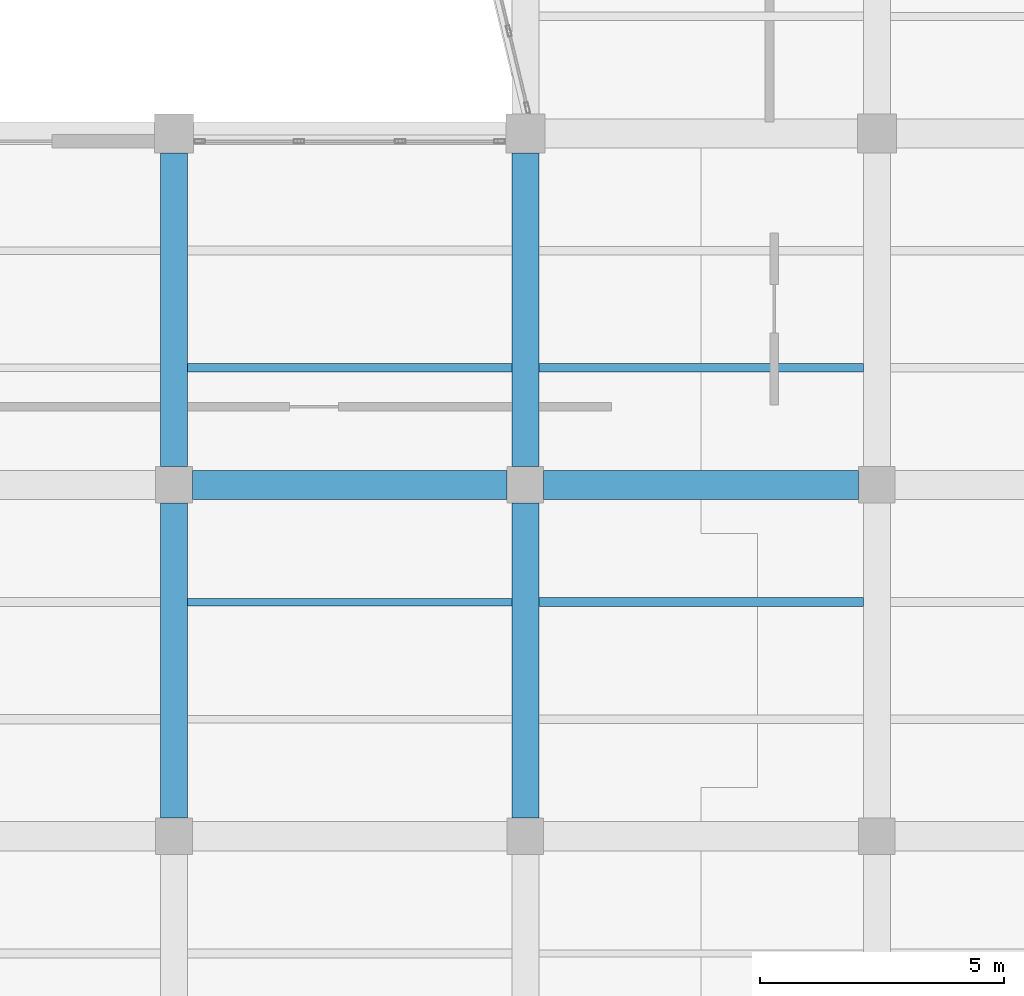
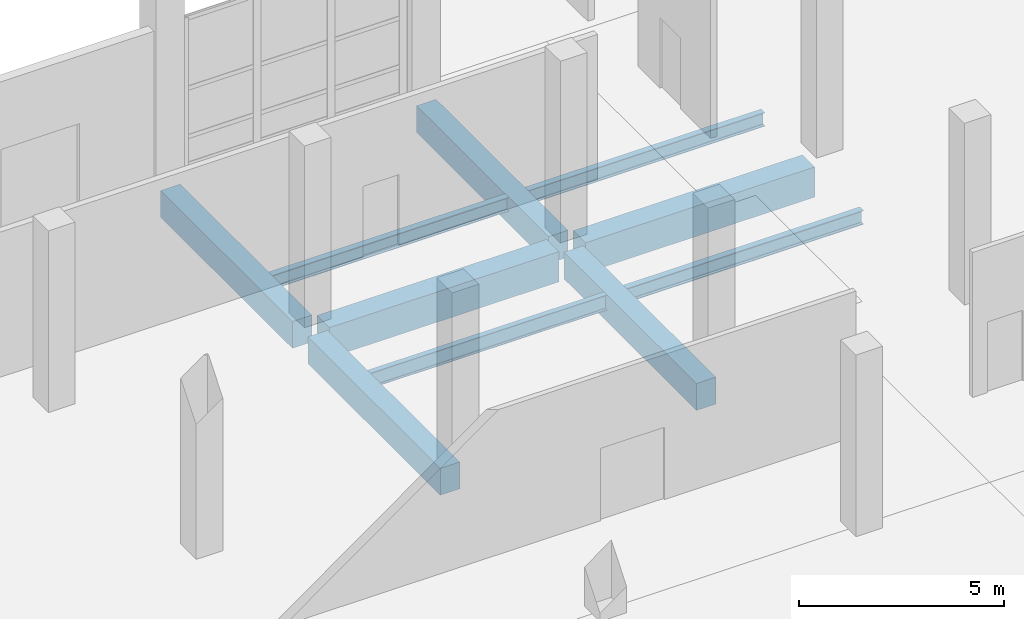
# One storey, part 68 of 137: 10 beams.
"""IFC4 building model written with IfcOpenShell, lengths in metres."""

from ifc_helpers import new_model, si_unit, direction, frame, origin, origin_2d, place, context, subcontext, project, spatial, rectangle, i_section, extrude, material, material_profile, profile_set, type_object, element, save


model = new_model("IFC4")

# Units and contexts
model_context = context("Model", 3, precision=1e-05, world=origin(), true_north=direction((0.0, 1.0)))
body_context = subcontext(model_context, "Body", "Model", "MODEL_VIEW")
ifc_project = project(units=[si_unit("LENGTHUNIT", "METRE"), si_unit("AREAUNIT", "SQUARE_METRE"), si_unit("VOLUMEUNIT", "CUBIC_METRE"), si_unit("PLANEANGLEUNIT", "RADIAN"), si_unit("MASSUNIT", "GRAM", prefix="KILO")], contexts=[model_context])

# Site, building, storey
site_placement = place(None, origin())
site = spatial("IfcSite", under=ifc_project, at=site_placement, CompositionType="ELEMENT")
building_placement = place(site_placement, origin())
building = spatial("IfcBuilding", under=site, at=building_placement, Name="Kalmorath City Hall", CompositionType="ELEMENT")
storey_placement = place(building_placement, origin())
storey = spatial("IfcBuildingStorey", under=building, at=storey_placement, Name="L00", CompositionType="ELEMENT", Elevation=0.0)

# Beams
ifc_material_1 = material(Name="Concrete C40/50", Category="concrete")
ifc_material_profile_1 = material_profile(ifc_material_1, rectangle(XDim=0.550048828125, YDim=0.800048828125, at=origin_2d()), Name="RC-BM-550X800")
ifc_profile_set_1 = profile_set([ifc_material_profile_1], Name="Concrete C40/50")
beam_type_1 = type_object("IfcBeamType", Name="Concrete floor girder 550x800", PredefinedType="BEAM", material=ifc_profile_set_1)
beam_1_placement = place(storey_placement, frame((129.60009765625, 29.175048828125, -0.7041015625), z_axis=(0.0, 1.0, 0.0), x_axis=(-1.0, 0.0, 0.0)))
element("IfcBeam", 1, at=beam_1_placement, inside=storey, type_object=beam_type_1, Name="L00 girder CB2 Y19/5-6", PredefinedType="BEAM", context=body_context, shape_type="SweptSolid", body=[
    extrude(rectangle(XDim=0.550048828125, YDim=0.800048828125, at=origin_2d()), origin(), (0.0, 0.0, 1.0), 6.449951171875),
])
beam_2_placement = place(storey_placement, frame((129.60009765625, 36.375, -0.7041015625), z_axis=(0.0, 1.0, 0.0), x_axis=(-1.0, 0.0, 0.0)))
element("IfcBeam", 2, at=beam_2_placement, inside=storey, type_object=beam_type_1, Name="L00 girder CB2 Y19/6-7", PredefinedType="BEAM", context=body_context, shape_type="SweptSolid", body=[
    extrude(rectangle(XDim=0.550048828125, YDim=0.800048828125, at=origin_2d()), origin(), (0.0, 0.0, 1.0), 6.425048828125),
])
beam_3_placement = place(storey_placement, frame((136.800048828125, 29.175048828125, -0.7041015625), z_axis=(0.0, 1.0, 0.0), x_axis=(-1.0, 0.0, 0.0)))
element("IfcBeam", 3, at=beam_3_placement, inside=storey, type_object=beam_type_1, Name="L00 girder CB2 Y20/5-6", PredefinedType="BEAM", context=body_context, shape_type="SweptSolid", body=[
    extrude(rectangle(XDim=0.550048828125, YDim=0.800048828125, at=origin_2d()), origin(), (0.0, 0.0, 1.0), 6.449951171875),
])
beam_4_placement = place(storey_placement, frame((136.800048828125, 36.375, -0.7041015625), z_axis=(0.0, 1.0, 0.0), x_axis=(-1.0, 0.0, 0.0)))
element("IfcBeam", 4, at=beam_4_placement, inside=storey, type_object=beam_type_1, Name="L00 girder CB2 Y20/6-7", PredefinedType="BEAM", context=body_context, shape_type="SweptSolid", body=[
    extrude(rectangle(XDim=0.550048828125, YDim=0.800048828125, at=origin_2d()), origin(), (0.0, 0.0, 1.0), 6.425048828125),
])
ifc_material_2 = material(Name="Concrete C40/50", Category="concrete")
ifc_material_profile_2 = material_profile(ifc_material_2, rectangle(XDim=0.60009765625, YDim=0.89990234375, at=origin_2d()), Name="RC-BM-600X900")
ifc_profile_set_2 = profile_set([ifc_material_profile_2], Name="Concrete C40/50")
beam_type_2 = type_object("IfcBeamType", Name="Concrete floor girder 600x900", PredefinedType="BEAM", material=ifc_profile_set_2)
for number, where, z_axis, x_axis, name in (
    (5, (129.97509765625, 36.0, -0.75390625), (1.0, 0.0, 0.0), (0.0, 1.0, 0.0), "L00 girder CB1 X19-20/6"),
    (6, (137.175048828125, 36.0, -0.75390625), (1.0, 0.0, 0.0), (0.0, 1.0, 0.0), "L00 girder CB1 X20-21/6"),
):
    element("IfcBeam", number, at=place(storey_placement, frame(where, z_axis=z_axis, x_axis=x_axis)), inside=storey, type_object=beam_type_2, Name=name, PredefinedType="BEAM", context=body_context, shape_type="SweptSolid", body=[
        extrude(rectangle(XDim=0.60009765625, YDim=0.89990234375, at=origin_2d()), origin(), (0.0, 0.0, 1.0), 6.449951171875),
    ])
ifc_material_3 = material(Name="Steel ASTM A992 Grade 50", Category="steel")
ifc_material_profile_3 = material_profile(ifc_material_3, i_section(OverallWidth=0.178955078125, OverallDepth=0.409912109375, WebThickness=0.0087890625, FlangeThickness=0.014404296875, FilletRadius=0.012939453125, at=origin_2d()), Name="W16X45")
ifc_profile_set_3 = profile_set([ifc_material_profile_3], Name="Steel ASTM A992 Grade 50")
beam_type_3 = type_object("IfcBeamType", Name="Steel composite joist W16X45", PredefinedType="JOIST", material=ifc_profile_set_3)
beam_5_placement = place(storey_placement, frame((137.074951171875, 38.39990234375, -0.509033203125), z_axis=(1.0, 0.0, 0.0), x_axis=(0.0, 1.0, 0.0)))
element("IfcBeam", 7, at=beam_5_placement, inside=storey, type_object=beam_type_3, Name="L00 joist SJ6 20.6.1", PredefinedType="JOIST", context=body_context, shape_type="SweptSolid", body=[
    extrude(i_section(OverallWidth=0.178955078125, OverallDepth=0.409912109375, WebThickness=0.0087890625, FlangeThickness=0.014404296875, FilletRadius=0.012939453125, at=origin_2d()), origin(), (0.0, 0.0, 1.0), 6.650146484375),
])
ifc_material_4 = material(Name="Steel ASTM A992 Grade 50", Category="steel")
ifc_material_profile_4 = material_profile(ifc_material_4, i_section(OverallWidth=0.180908203125, OverallDepth=0.4169921875, WebThickness=0.010986328125, FlangeThickness=0.018310546875, FilletRadius=0.012939453125, at=origin_2d()), Name="W16X57")
ifc_profile_set_4 = profile_set([ifc_material_profile_4], Name="Steel ASTM A992 Grade 50")
beam_type_4 = type_object("IfcBeamType", Name="Steel composite joist W16X57", PredefinedType="JOIST", material=ifc_profile_set_4)
beam_6_placement = place(storey_placement, frame((129.875, 38.39990234375, -0.512451171875), z_axis=(1.0, 0.0, 0.0), x_axis=(0.0, 1.0, 0.0)))
element("IfcBeam", 8, at=beam_6_placement, inside=storey, type_object=beam_type_4, Name="L00 joist SJ5 19.6.1", PredefinedType="JOIST", context=body_context, shape_type="SweptSolid", body=[
    extrude(i_section(OverallWidth=0.180908203125, OverallDepth=0.4169921875, WebThickness=0.010986328125, FlangeThickness=0.018310546875, FilletRadius=0.012939453125, at=origin_2d()), origin(), (0.0, 0.0, 1.0), 6.64990234375),
])
beam_7_placement = place(storey_placement, frame((137.074951171875, 33.60009765625, -0.512451171875), z_axis=(1.0, 0.0, 0.0), x_axis=(0.0, 1.0, 0.0)))
element("IfcBeam", 9, at=beam_7_placement, inside=storey, type_object=beam_type_4, Name="L00 joist SJ5 20.5.2", PredefinedType="JOIST", context=body_context, shape_type="SweptSolid", body=[
    extrude(i_section(OverallWidth=0.180908203125, OverallDepth=0.4169921875, WebThickness=0.010986328125, FlangeThickness=0.018310546875, FilletRadius=0.012939453125, at=origin_2d()), origin(), (0.0, 0.0, 1.0), 6.650146484375),
])
ifc_material_5 = material(Name="Steel ASTM A992 Grade 50", Category="steel")
ifc_material_profile_5 = material_profile(ifc_material_5, i_section(OverallWidth=0.153076171875, OverallDepth=0.455078125, WebThickness=0.008056640625, FlangeThickness=0.01318359375, FilletRadius=0.013916015625, at=origin_2d()), Name="W18X40")
ifc_profile_set_5 = profile_set([ifc_material_profile_5], Name="Steel ASTM A992 Grade 50")
beam_type_5 = type_object("IfcBeamType", Name="Steel composite joist W18X40", PredefinedType="JOIST", material=ifc_profile_set_5)
beam_8_placement = place(storey_placement, frame((129.875, 33.60009765625, -0.531494140625), z_axis=(1.0, 0.0, 0.0), x_axis=(0.0, 1.0, 0.0)))
element("IfcBeam", 10, at=beam_8_placement, inside=storey, type_object=beam_type_5, Name="L00 joist SJ4 19.5.2", PredefinedType="JOIST", context=body_context, shape_type="SweptSolid", body=[
    extrude(i_section(OverallWidth=0.153076171875, OverallDepth=0.455078125, WebThickness=0.008056640625, FlangeThickness=0.01318359375, FilletRadius=0.013916015625, at=origin_2d()), origin(), (0.0, 0.0, 1.0), 6.64990234375),
])

save(model, "model.ifc")
